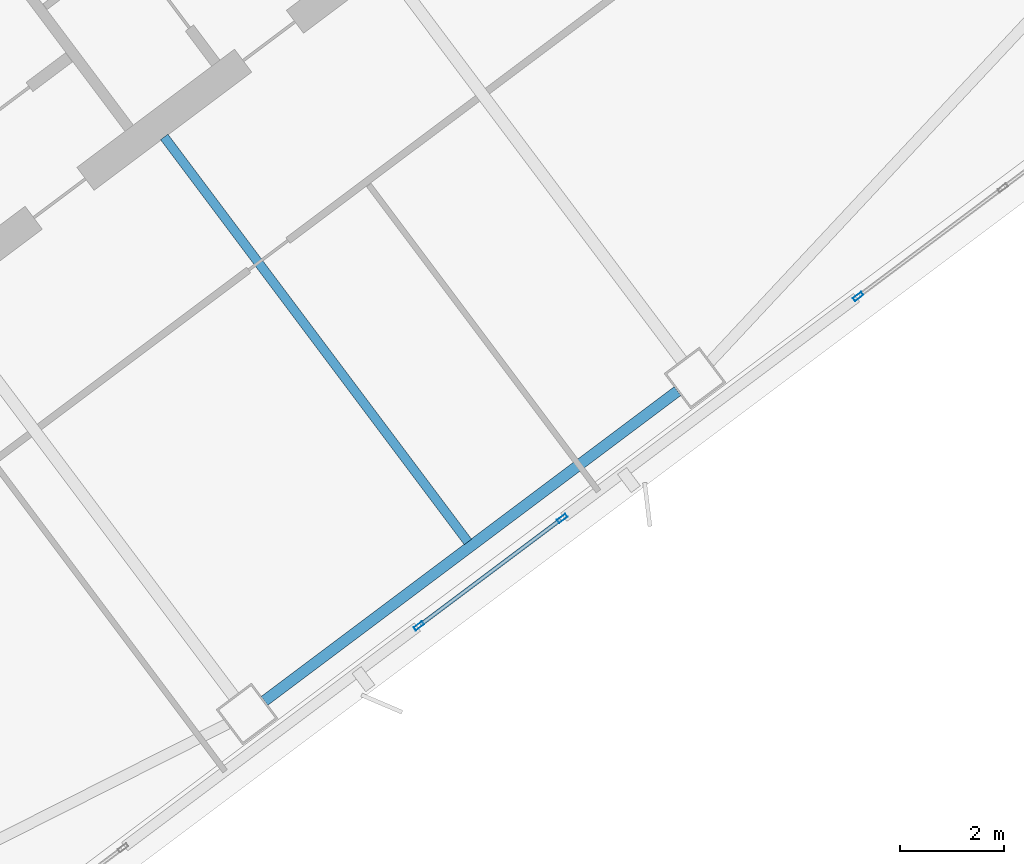
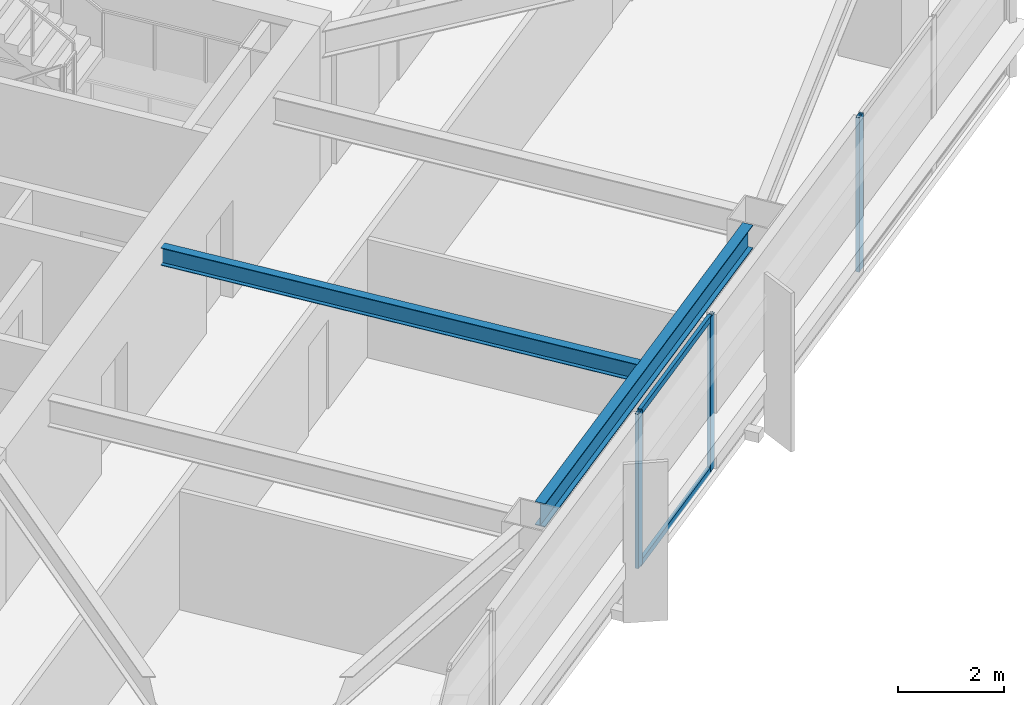
# One storey, part 26 of 48: 5 members, 2 beams, 2 elements without a shape of their own.
"""IFC4 building model written with IfcOpenShell, lengths in metres."""

from ifc_helpers import new_model, si_unit, direction, frame, origin, origin_2d, place, context, subcontext, project, spatial, hollow_rectangle, i_section, extrude, material, material_profile, profile_set, type_object, element, aggregate, save


model = new_model("IFC4")

# Units and contexts
model_context = context("Model", 3, precision=1e-05, world=origin(), true_north=direction((0.0, 1.0)))
body_context = subcontext(model_context, "Body", "Model", "MODEL_VIEW")
ifc_project = project(units=[si_unit("LENGTHUNIT", "METRE"), si_unit("AREAUNIT", "SQUARE_METRE"), si_unit("VOLUMEUNIT", "CUBIC_METRE"), si_unit("PLANEANGLEUNIT", "RADIAN"), si_unit("MASSUNIT", "GRAM", prefix="KILO")], contexts=[model_context])

# Site, building, storey
site_placement = place(None, origin())
site = spatial("IfcSite", under=ifc_project, at=site_placement, CompositionType="ELEMENT")
building_placement = place(site_placement, origin())
building = spatial("IfcBuilding", under=site, at=building_placement, Name="Tashvorn Skyway Center", CompositionType="ELEMENT")
storey_placement = place(building_placement, frame((0.0, 0.0, 125.050048828125)))
storey = spatial("IfcBuildingStorey", under=building, at=storey_placement, Name="L33", CompositionType="ELEMENT", Elevation=125.050048828125)

# Beams
ifc_material_1 = material(Name="Steel ASTM A992 Grade 50", Category="steel")
ifc_material_profile_1 = material_profile(ifc_material_1, i_section(OverallWidth=0.177978515625, OverallDepth=0.406005859375, WebThickness=0.0078125, FlangeThickness=0.0126953125, at=origin_2d()), Name="W16X40")
ifc_profile_set_1 = profile_set([ifc_material_profile_1], Name="Steel ASTM A992 Grade 50")
beam_type_1 = type_object("IfcBeamType", Name="BM-JOIST-W16X40", PredefinedType="JOIST", material=ifc_profile_set_1)
beam_1_placement = place(storey_placement, frame((118.674072265625, 25.76806640625, 3.1669921875), z_axis=(0.599991997409, -0.800006001881, 0.0), x_axis=(0.800006001881, 0.599991997409, 0.0)))
element("IfcBeam", 1, at=beam_1_placement, inside=storey, type_object=beam_type_1, Name="Tower 2 L33 Secondary Composite Joist JS", PredefinedType="JOIST", context=body_context, shape_type="SweptSolid", body=[
    extrude(i_section(OverallWidth=0.177978515625, OverallDepth=0.406005859375, WebThickness=0.0078125, FlangeThickness=0.0126953125, at=origin_2d()), origin(), (0.0, 0.0, 1.0), 9.762451171875),
])
ifc_material_profile_2 = material_profile(ifc_material_1, i_section(OverallWidth=0.2109375, OverallDepth=0.5390625, WebThickness=0.01171875, FlangeThickness=0.018798828125, at=origin_2d()), Name="W21X73")
ifc_profile_set_2 = profile_set([ifc_material_profile_2], Name="Steel ASTM A992 Grade 50")
beam_type_2 = type_object("IfcBeamType", Name="BM-SPANDREL-W21X73", PredefinedType="SPANDREL", material=ifc_profile_set_2)
beam_2_placement = place(storey_placement, frame((120.60595703125, 14.89208984375, 3.100341796875), z_axis=(0.800008824351, 0.599988234018, 0.0), x_axis=(-0.599988234018, 0.800008824351, 0.0)))
element("IfcBeam", 2, at=beam_2_placement, inside=storey, type_object=beam_type_2, Name="Tower 2 L33 Spandrel Beam 02", PredefinedType="SPANDREL", context=body_context, shape_type="SweptSolid", body=[
    extrude(i_section(OverallWidth=0.2109375, OverallDepth=0.5390625, WebThickness=0.01171875, FlangeThickness=0.018798828125, at=origin_2d()), origin(), (0.0, 0.0, 1.0), 9.9599609375),
])

# Curtain wall, member
ifc_material_2 = material(Name="Thermally broken bronze-anodized aluminium 6063-T6", Category="aluminium")
curtain_wall_type = type_object("IfcCurtainWallType", Name="CW-CW-Z3", PredefinedType="NOTDEFINED", material=ifc_material_2)
curtain_wall_1_placement = place(storey_placement, origin())
curtain_wall_1 = element("IfcCurtainWall", 3, at=curtain_wall_1_placement, inside=storey, type_object=curtain_wall_type, Name="Tower 2 L33 South Unitised Curtain Wall Glazing Group 1", PredefinedType="NOTDEFINED")
ifc_material_profile_3 = material_profile(ifc_material_2, hollow_rectangle(XDim=0.074951171875, YDim=0.199951171875, WallThickness=0.00439453125, at=origin_2d()), Name="ALU-MULL-75x200")
ifc_profile_set_3 = profile_set([ifc_material_profile_3], Name="Thermally broken bronze-anodized aluminium 6063-T6")
member_type_1 = type_object("IfcMemberType", Name="CWM-CW-Z3", PredefinedType="MULLION", material=ifc_profile_set_3)
member_1_placement = place(storey_placement, frame((132.055908203125, 22.69189453125, 0.0), z_axis=(0.0, 0.0, 1.0), x_axis=(0.600004533995, -0.799996599484, 0.0)))
member_1 = element("IfcMember", 4, at=member_1_placement, type_object=member_type_1, Name="CW-Z3 mullion 3", PredefinedType="MULLION", context=body_context, shape_type="SweptSolid", body=[
    extrude(hollow_rectangle(XDim=0.074951171875, YDim=0.199951171875, WallThickness=0.00439453125, at=origin_2d()), origin(), (0.0, 0.0, 1.0), 3.550048828125),
])
aggregate(curtain_wall_1, [member_1])

# Curtain wall, members
curtain_wall_2_placement = place(storey_placement, origin())
curtain_wall_2 = element("IfcCurtainWall", 5, at=curtain_wall_2_placement, inside=storey, type_object=curtain_wall_type, Name="Tower 2 L33 South Unitised Curtain Wall Glazing Group 2", PredefinedType="NOTDEFINED")
member_2_placement = place(storey_placement, frame((126.349609375, 18.412109375, 0.0), z_axis=(0.0, 0.0, 1.0), x_axis=(0.600000000002, -0.799999999998, 0.0)))
member_2 = element("IfcMember", 6, at=member_2_placement, type_object=member_type_1, Name="CW-Z3 mullion 1", PredefinedType="MULLION", context=body_context, shape_type="SweptSolid", body=[
    extrude(hollow_rectangle(XDim=0.074951171875, YDim=0.199951171875, WallThickness=0.00439453125, at=origin_2d()), origin(), (0.0, 0.0, 1.0), 3.550048828125),
])
member_3_placement = place(storey_placement, frame((123.58642578125, 16.33984375, 0.0), z_axis=(0.0, 0.0, 1.0), x_axis=(0.600000000002, -0.799999999998, 0.0)))
member_3 = element("IfcMember", 7, at=member_3_placement, type_object=member_type_1, Name="CW-Z3 mullion 2", PredefinedType="MULLION", context=body_context, shape_type="SweptSolid", body=[
    extrude(hollow_rectangle(XDim=0.074951171875, YDim=0.199951171875, WallThickness=0.00439453125, at=origin_2d()), origin(), (0.0, 0.0, 1.0), 3.550048828125),
])
ifc_material_profile_4 = material_profile(ifc_material_2, hollow_rectangle(XDim=0.074951171875, YDim=0.139892578125, WallThickness=0.004150390625, at=origin_2d()), Name="ALU-TRAN-75x140")
ifc_profile_set_4 = profile_set([ifc_material_profile_4], Name="Thermally broken bronze-anodized aluminium 6063-T6")
member_type_2 = type_object("IfcMemberType", Name="CWT-CW-Z3", PredefinedType="USERDEFINED", material=ifc_profile_set_4)
member_4_placement = place(storey_placement, frame((126.319580078125, 18.3896484375, 0.037353515625), z_axis=(-0.8, -0.6, 0.0), x_axis=(0.6, -0.8, 0.0)))
member_4 = element("IfcMember", 8, at=member_4_placement, type_object=member_type_2, Name="CW-Z3 transom 1.1", ObjectType="TRANSOM", PredefinedType="USERDEFINED", context=body_context, shape_type="SweptSolid", body=[
    extrude(hollow_rectangle(XDim=0.074951171875, YDim=0.139892578125, WallThickness=0.004150390625, at=origin_2d()), origin(), (0.0, 0.0, 1.0), 3.37890625),
])
member_5_placement = place(storey_placement, frame((126.319580078125, 18.3896484375, 3.512451171875), z_axis=(-0.8, -0.6, 0.0), x_axis=(0.6, -0.8, 0.0)))
member_5 = element("IfcMember", 9, at=member_5_placement, type_object=member_type_2, Name="CW-Z3 transom 1.2", ObjectType="TRANSOM", PredefinedType="USERDEFINED", context=body_context, shape_type="SweptSolid", body=[
    extrude(hollow_rectangle(XDim=0.074951171875, YDim=0.139892578125, WallThickness=0.004150390625, at=origin_2d()), origin(), (0.0, 0.0, 1.0), 3.37890625),
])
aggregate(curtain_wall_2, [member_2, member_3, member_4, member_5])

save(model, "model.ifc")
